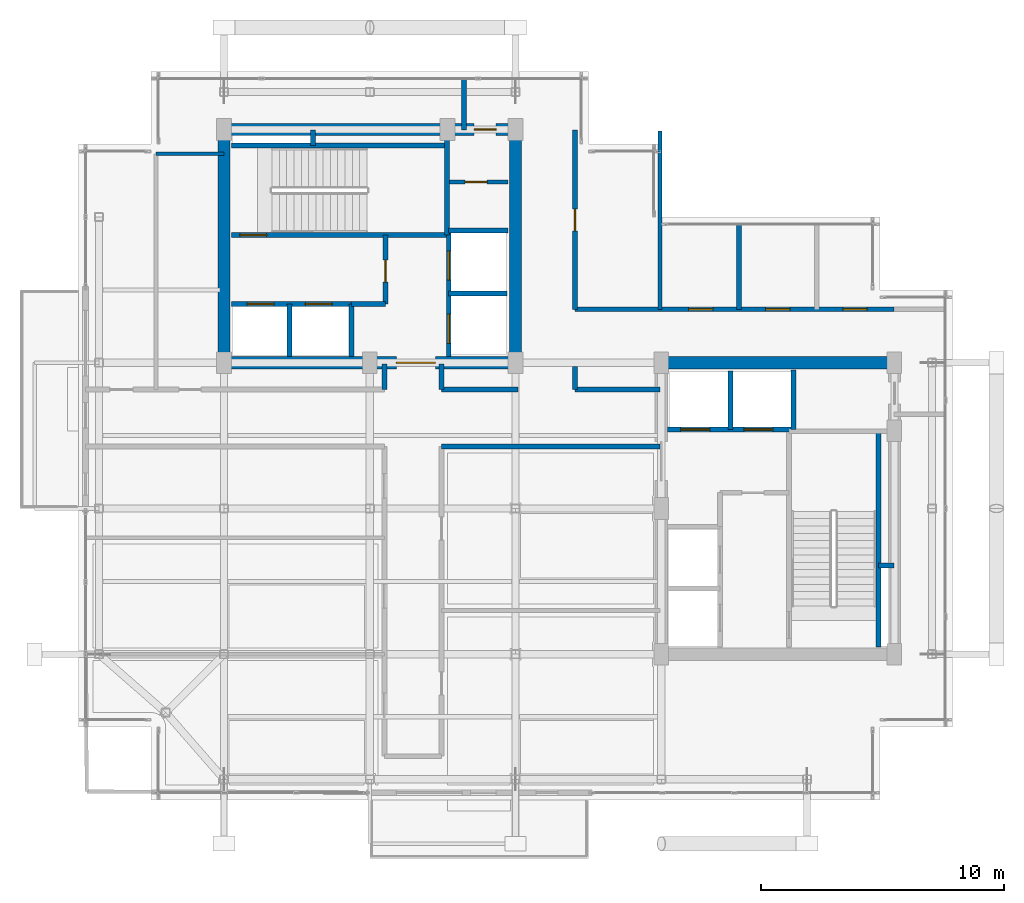
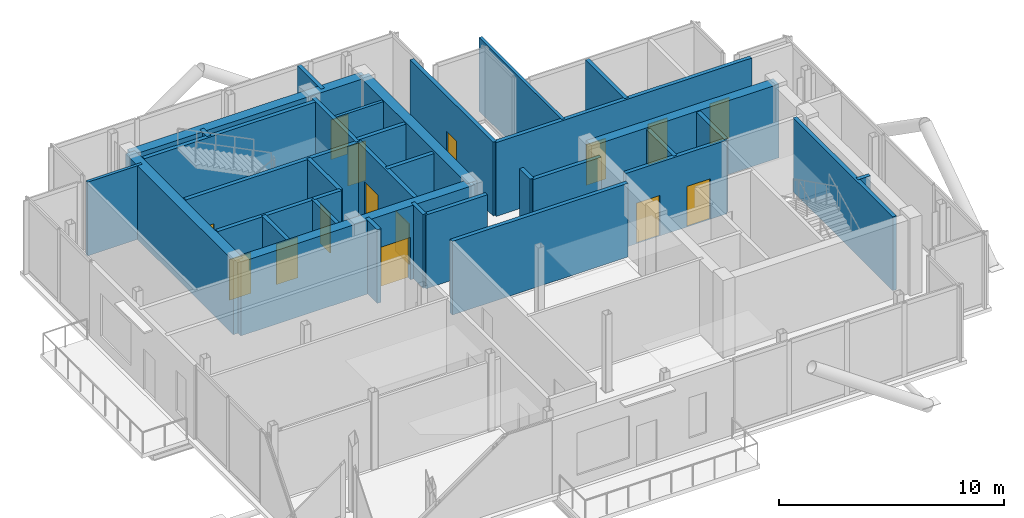
# One storey, part 13 of 16: 35 walls, 15 doors, 15 openings.
"""IFC4 building model written with IfcOpenShell, lengths in metres."""

from ifc_helpers import new_model, si_unit, direction, frame, frame_2d, origin, place, context, subcontext, project, spatial, rectangle, extrude, material, layer, layer_set, type_object, element, fill, save


model = new_model("IFC4")

# Units and contexts
model_context = context("Model", 3, precision=1e-05, world=origin(), true_north=direction((0.0, 1.0)))
body_context = subcontext(model_context, "Body", "Model", "MODEL_VIEW")
ifc_project = project(units=[si_unit("LENGTHUNIT", "METRE"), si_unit("AREAUNIT", "SQUARE_METRE"), si_unit("VOLUMEUNIT", "CUBIC_METRE"), si_unit("PLANEANGLEUNIT", "RADIAN"), si_unit("MASSUNIT", "GRAM", prefix="KILO"), si_unit("THERMODYNAMICTEMPERATUREUNIT", "KELVIN"), si_unit("POWERUNIT", "WATT")], contexts=[model_context])

# Site, building, storey
site_placement = place(None, origin())
site = spatial("IfcSite", under=ifc_project, at=site_placement, CompositionType="ELEMENT")
building_placement = place(site_placement, origin())
building = spatial("IfcBuilding", under=site, at=building_placement, Name="Svarakhadi Broadcast Tower", CompositionType="ELEMENT")
storey_placement = place(building_placement, frame((0.0, 0.0, 292.199951171875)))
storey = spatial("IfcBuildingStorey", under=building, at=storey_placement, Name="L74", CompositionType="ELEMENT", Elevation=292.199951171875)

# Walls
ifc_material_1 = material(Name="Double-Stud Acoustic Studio Partition STC-62", Category="gypsum")
ifc_layer_1 = layer(ifc_material_1, 0.199951171875)
ifc_layer_set_1 = layer_set([ifc_layer_1], Name="Double-Stud Acoustic Studio Partition STC-62")
wall_type_1 = type_object("IfcWallType", Name="Wall_Acoust_200", PredefinedType="PARTITIONING", material=ifc_layer_set_1)
for number, where, z_axis, x_axis, name in (
    (1, (12.60009765625, 16.89990234375, 0.0), (0.0, 0.0, 1.0), (0.0, 1.0, 0.0), "L74 Upper Tower Concourse Wall"),
    (2, (14.949951171875, 17.949951171875, 0.0), (0.0, 0.0, 1.0), (0.0, -1.0, 0.0), "L74 Upper Tower Concourse Wall"),
):
    element("IfcWall", number, at=place(storey_placement, frame(where, z_axis=z_axis, x_axis=x_axis)), inside=storey, type_object=wall_type_1, Name=name, PredefinedType="PARTITIONING", context=body_context, shape_type="SweptSolid", body=[
        extrude(rectangle(XDim=1.050048828125, YDim=0.199951171875, at=frame_2d((0.52490234375, 0.0))), origin(), (0.0, 0.0, 1.0), 4.0),
    ])
wall_1_placement = place(storey_placement, frame((14.949951171875, 16.89990234375, 0.0), z_axis=(0.0, 0.0, 1.0), x_axis=(1.0, 0.0, 0.0)))
element("IfcWall", 3, at=wall_1_placement, inside=storey, type_object=wall_type_1, Name="L74 Upper Tower Concourse Wall", PredefinedType="PARTITIONING", context=body_context, shape_type="SweptSolid", body=[
    extrude(rectangle(XDim=3.150146484375, YDim=0.199951171875, at=frame_2d((1.5751953125, 0.0))), origin(), (0.0, 0.0, 1.0), 4.0),
])
wall_2_placement = place(storey_placement, frame((15.8798828125, 27.580078125, 0.0), z_axis=(0.0, 0.0, 1.0), x_axis=(0.0, 1.0, 0.0)))
element("IfcWall", 4, at=wall_2_placement, inside=storey, type_object=wall_type_1, Name="L74 Upper Tower Concourse Wall", PredefinedType="PARTITIONING", context=body_context, shape_type="SweptSolid", body=[
    extrude(rectangle(XDim=2.119873046875, YDim=0.199951171875, at=frame_2d((1.06005859375, 0.0))), origin(), (0.0, 0.0, 1.0), 4.0),
])

# Wall, opening, door
wall_3_placement = place(storey_placement, frame((20.449951171875, 27.580078125, 0.0), z_axis=(0.0, 0.0, 1.0), x_axis=(0.0, -1.0, 0.0)))
wall_3 = element("IfcWall", 5, at=wall_3_placement, inside=storey, type_object=wall_type_1, Name="L74 Upper Tower Concourse Wall", PredefinedType="PARTITIONING", context=body_context, shape_type="SweptSolid", body=[
    extrude(rectangle(XDim=7.380126953125, YDim=0.199951171875, at=frame_2d((3.68994140625, 0.0))), origin(), (0.0, 0.0, 1.0), 4.0),
])
opening_1_placement = place(wall_3_placement, frame((3.2548828125, 0.0, 0.0)))
opening_1 = element("IfcOpeningElement", 6, at=opening_1_placement, cuts=wall_3, Name="Opening D-12", PredefinedType="OPENING", context=body_context, shape_type="SweptSolid", body=[
    extrude(rectangle(XDim=0.89990234375, YDim=2.10009765625, at=frame_2d((0.449951171875, 1.050048828125))), frame((0.0, 0.10986328125, 0.0), z_axis=(0.0, -1.0, 0.0), x_axis=(1.0, 0.0, 0.0)), (0.0, 0.0, 1.0), 0.219970703125),
])
ifc_material_2 = material(Name="Solid-Core Teak Veneer Acoustic Timber Leaf", Category="wood")
door_type_1 = type_object("IfcDoorType", Name="Door_WC_D01", OperationType="SINGLE_SWING_LEFT", PredefinedType="DOOR", material=ifc_material_2)
door_1_placement = place(opening_1_placement, origin())
door_1 = element("IfcDoor", 7, at=door_1_placement, inside=storey, type_object=door_type_1, Name="L74 Accessible Visitor Washroom WC Door", OperationType="SINGLE_SWING_LEFT", OverallHeight=2.10009765625, OverallWidth=0.89990234375, PredefinedType="DOOR", context=body_context, shape_type="SweptSolid", body=[
    extrude(rectangle(XDim=0.89990234375, YDim=2.10009765625, at=frame_2d((0.449951171875, 1.050048828125))), frame((0.0, 0.02490234375, 0.0), z_axis=(0.0, -1.0, 0.0), x_axis=(1.0, 0.0, 0.0)), (0.0, 0.0, 1.0), 0.050048828125),
])
fill(opening_1, door_1)

# Wall, openings, doors
wall_4_placement = place(storey_placement, frame((20.449951171875, 20.199951171875, 0.0), z_axis=(0.0, 0.0, 1.0), x_axis=(1.0, 0.0, 0.0)))
wall_4 = element("IfcWall", 8, at=wall_4_placement, inside=storey, type_object=wall_type_1, Name="L74 Upper Tower Concourse Wall", PredefinedType="PARTITIONING", context=body_context, shape_type="SweptSolid", body=[
    extrude(rectangle(XDim=13.130126953125, YDim=0.199951171875, at=frame_2d((6.56494140625, 0.0))), origin(), (0.0, 0.0, 1.0), 4.0),
])
opening_2_placement = place(wall_4_placement, frame((4.675048828125, 0.0, 0.0)))
opening_2 = element("IfcOpeningElement", 9, at=opening_2_placement, cuts=wall_4, Name="Opening D-09", PredefinedType="OPENING", context=body_context, shape_type="SweptSolid", body=[
    extrude(rectangle(XDim=1.0, YDim=2.199951171875, at=frame_2d((0.5, 1.10009765625))), frame((0.0, 0.10986328125, 0.0), z_axis=(0.0, -1.0, 0.0), x_axis=(1.0, 0.0, 0.0)), (0.0, 0.0, 1.0), 0.219970703125),
])
opening_3_placement = place(wall_4_placement, frame((7.85009765625, 0.0, 0.0)))
opening_3 = element("IfcOpeningElement", 10, at=opening_3_placement, cuts=wall_4, Name="Opening D-08", PredefinedType="OPENING", context=body_context, shape_type="SweptSolid", body=[
    extrude(rectangle(XDim=1.0, YDim=2.199951171875, at=frame_2d((0.5, 1.10009765625))), frame((0.0, 0.10986328125, 0.0), z_axis=(0.0, -1.0, 0.0), x_axis=(1.0, 0.0, 0.0)), (0.0, 0.0, 1.0), 0.219970703125),
])
opening_4_placement = place(wall_4_placement, frame((11.02490234375, 0.0, 0.0)))
opening_4 = element("IfcOpeningElement", 11, at=opening_4_placement, cuts=wall_4, Name="Opening D-09", PredefinedType="OPENING", context=body_context, shape_type="SweptSolid", body=[
    extrude(rectangle(XDim=1.0, YDim=2.199951171875, at=frame_2d((0.5, 1.10009765625))), frame((0.0, 0.10986328125, 0.0), z_axis=(0.0, -1.0, 0.0), x_axis=(1.0, 0.0, 0.0)), (0.0, 0.0, 1.0), 0.219970703125),
])
door_type_2 = type_object("IfcDoorType", Name="Door_Suite_D08", OperationType="SINGLE_SWING_LEFT", PredefinedType="DOOR", material=ifc_material_2)
door_2_placement = place(opening_3_placement, origin())
door_2 = element("IfcDoor", 12, at=door_2_placement, inside=storey, type_object=door_type_2, Name="L74 Private Sommelier Tasting Pantry Door", OperationType="SINGLE_SWING_LEFT", OverallHeight=2.199951171875, OverallWidth=1.0, PredefinedType="DOOR", context=body_context, shape_type="SweptSolid", body=[
    extrude(rectangle(XDim=1.0, YDim=2.199951171875, at=frame_2d((0.5, 1.10009765625))), frame((0.0, 0.02490234375, 0.0), z_axis=(0.0, -1.0, 0.0), x_axis=(1.0, 0.0, 0.0)), (0.0, 0.0, 1.0), 0.050048828125),
])
fill(opening_3, door_2)
door_type_3 = type_object("IfcDoorType", Name="Door_Suite_D09", OperationType="SINGLE_SWING_RIGHT", PredefinedType="DOOR", material=ifc_material_2)
door_3_placement = place(opening_2_placement, origin())
door_3 = element("IfcDoor", 13, at=door_3_placement, inside=storey, type_object=door_type_3, Name="L74 Harbour Sky Club Reading Room Door", OperationType="SINGLE_SWING_RIGHT", OverallHeight=2.199951171875, OverallWidth=1.0, PredefinedType="DOOR", context=body_context, shape_type="SweptSolid", body=[
    extrude(rectangle(XDim=1.0, YDim=2.199951171875, at=frame_2d((0.5, 1.10009765625))), frame((0.0, 0.02490234375, 0.0), z_axis=(0.0, -1.0, 0.0), x_axis=(1.0, 0.0, 0.0)), (0.0, 0.0, 1.0), 0.050048828125),
])
fill(opening_2, door_3)
door_4_placement = place(opening_4_placement, origin())
door_4 = element("IfcDoor", 14, at=door_4_placement, inside=storey, type_object=door_type_3, Name="L74 VIP Guest Concierge Office Door", OperationType="SINGLE_SWING_RIGHT", OverallHeight=2.199951171875, OverallWidth=1.0, PredefinedType="DOOR", context=body_context, shape_type="SweptSolid", body=[
    extrude(rectangle(XDim=1.0, YDim=2.199951171875, at=frame_2d((0.5, 1.10009765625))), frame((0.0, 0.02490234375, 0.0), z_axis=(0.0, -1.0, 0.0), x_axis=(1.0, 0.0, 0.0)), (0.0, 0.0, 1.0), 0.050048828125),
])
fill(opening_4, door_4)

# Walls
wall_5_placement = place(storey_placement, frame((20.449951171875, 17.85009765625, 0.0), z_axis=(0.0, 0.0, 1.0), x_axis=(0.0, -1.0, 0.0)))
element("IfcWall", 15, at=wall_5_placement, inside=storey, type_object=wall_type_1, Name="L74 Upper Tower Concourse Wall", PredefinedType="PARTITIONING", context=body_context, shape_type="SweptSolid", body=[
    extrude(rectangle(XDim=0.9501953125, YDim=0.199951171875, at=frame_2d((0.47509765625, 0.0))), origin(), (0.0, 0.0, 1.0), 4.0),
])
wall_6_placement = place(storey_placement, frame((20.449951171875, 16.89990234375, 0.0), z_axis=(0.0, 0.0, 1.0), x_axis=(1.0, 0.0, 0.0)))
element("IfcWall", 16, at=wall_6_placement, inside=storey, type_object=wall_type_1, Name="L74 Upper Tower Concourse Wall", PredefinedType="PARTITIONING", context=body_context, shape_type="SweptSolid", body=[
    extrude(rectangle(XDim=3.5, YDim=0.199951171875, at=frame_2d((1.75, 0.0))), origin(), (0.0, 0.0, 1.0), 4.0),
])
wall_7_placement = place(storey_placement, frame((23.949951171875, 14.550048828125, 0.0), z_axis=(0.0, 0.0, 1.0), x_axis=(-1.0, 0.0, 0.0)))
element("IfcWall", 17, at=wall_7_placement, inside=storey, type_object=wall_type_1, Name="L74 Upper Tower Concourse Wall", PredefinedType="PARTITIONING", context=body_context, shape_type="SweptSolid", body=[
    extrude(rectangle(XDim=9.0, YDim=0.199951171875, at=frame_2d((4.5, 0.0))), origin(), (0.0, 0.0, 1.0), 4.0),
])
wall_8_placement = place(storey_placement, frame((27.199951171875, 20.199951171875, 0.0), z_axis=(0.0, 0.0, 1.0), x_axis=(0.0, 1.0, 0.0)))
element("IfcWall", 18, at=wall_8_placement, inside=storey, type_object=wall_type_1, Name="L74 Harbour Sky Club Reading Room Wall", PredefinedType="PARTITIONING", context=body_context, shape_type="SweptSolid", body=[
    extrude(rectangle(XDim=3.5, YDim=0.199951171875, at=frame_2d((1.75, 0.0))), origin(), (0.0, 0.0, 1.0), 4.0),
])
ifc_material_3 = material(Name="Concrete C40/50 (IS 456 M50)", Category="concrete")
ifc_layer_2 = layer(ifc_material_3, 0.199951171875)
ifc_layer_set_2 = layer_set([ifc_layer_2], Name="Concrete C40/50 (IS 456 M50)")
wall_type_2 = type_object("IfcWallType", Name="Wall_Fire_200", PredefinedType="SOLIDWALL", material=ifc_layer_set_2)
for number, where, z_axis, x_axis, name in (
    (19, (9.659912109375, 26.93994140625, 0.0), (0.0, 0.0, 1.0), (0.0, 1.0, 0.0), "L74 Wet Riser Shaft East Wall"),
    (20, (32.93994140625, 9.659912109375, 0.0), (0.0, 0.0, 1.0), (1.0, 0.0, 0.0), "L74 HV Busduct Riser Shaft North Wall"),
):
    element("IfcWall", number, at=place(storey_placement, frame(where, z_axis=z_axis, x_axis=x_axis)), inside=storey, type_object=wall_type_2, Name=name, PredefinedType="SOLIDWALL", context=body_context, shape_type="SweptSolid", body=[
        extrude(rectangle(XDim=0.64013671875, YDim=0.199951171875, at=frame_2d((0.320068359375, 0.0))), origin(), (0.0, 0.0, 1.0), 4.0),
    ])

# Wall, opening, door
ifc_material_4 = material(Name="Autoclaved Aerated Concrete Blockwork 150 mm", Category="masonry")
ifc_layer_3 = layer(ifc_material_4, 0.14990234375)
ifc_layer_set_3 = layer_set([ifc_layer_3], Name="Autoclaved Aerated Concrete Blockwork 150 mm")
wall_type_3 = type_object("IfcWallType", Name="Wall_Part_150", PredefinedType="PARTITIONING", material=ifc_layer_set_3)
wall_9_placement = place(storey_placement, frame((15.280029296875, 25.43994140625, 0.0), z_axis=(0.0, 0.0, 1.0), x_axis=(1.0, 0.0, 0.0)))
wall_9 = element("IfcWall", 21, at=wall_9_placement, inside=storey, type_object=wall_type_3, Name="L74 West Core Service Split Wall", PredefinedType="PARTITIONING", context=body_context, shape_type="SweptSolid", body=[
    extrude(rectangle(XDim=2.419921875, YDim=0.14990234375, at=frame_2d((1.2099609375, 0.0))), origin(), (0.0, 0.0, 1.0), 4.0),
])
opening_5_placement = place(wall_9_placement, frame((0.64990234375, 0.0, 0.0)))
opening_5 = element("IfcOpeningElement", 22, at=opening_5_placement, cuts=wall_9, Name="Opening D-03", PredefinedType="OPENING", context=body_context, shape_type="SweptSolid", body=[
    extrude(rectangle(XDim=0.89990234375, YDim=2.14990234375, at=frame_2d((0.449951171875, 1.074951171875))), frame((0.0, 0.0849609375, 0.0), z_axis=(0.0, -1.0, 0.0), x_axis=(1.0, 0.0, 0.0)), (0.0, 0.0, 1.0), 0.169921875),
])
ifc_material_5 = material(Name="Galvanised Powder-Coated Fire-Rated Steel Leaf", Category="steel")
door_type_4 = type_object("IfcDoorType", Name="Door_Fire_D03", OperationType="SINGLE_SWING_LEFT", PredefinedType="DOOR", material=ifc_material_5)
door_5_placement = place(opening_5_placement, origin())
door_5 = element("IfcDoor", 23, at=door_5_placement, inside=storey, type_object=door_type_4, Name="L74 West Core Inner Store Door", OperationType="SINGLE_SWING_LEFT", OverallHeight=2.14990234375, OverallWidth=0.89990234375, PredefinedType="DOOR", context=body_context, shape_type="SweptSolid", body=[
    extrude(rectangle(XDim=0.89990234375, YDim=2.14990234375, at=frame_2d((0.449951171875, 1.074951171875))), frame((0.0, 0.02490234375, 0.0), z_axis=(0.0, -1.0, 0.0), x_axis=(1.0, 0.0, 0.0)), (0.0, 0.0, 1.0), 0.050048828125),
])
fill(opening_5, door_5)

# Walls
wall_10_placement = place(storey_placement, frame((23.949951171875, 20.199951171875, 0.0), z_axis=(0.0, 0.0, 1.0), x_axis=(0.0, 1.0, 0.0)))
element("IfcWall", 24, at=wall_10_placement, inside=storey, type_object=wall_type_3, Name="L74 Accessible Visitor Washroom WC Wall", PredefinedType="PARTITIONING", context=body_context, shape_type="SweptSolid", body=[
    extrude(rectangle(XDim=7.35009765625, YDim=0.14990234375, at=frame_2d((3.675048828125, 0.0))), origin(), (0.0, 0.0, 1.0), 4.0),
])
wall_11_placement = place(storey_placement, frame((3.199951171875, 26.60009765625, 0.0), z_axis=(0.0, 0.0, 1.0), x_axis=(1.0, 0.0, 0.0)))
element("IfcWall", 25, at=wall_11_placement, inside=storey, type_object=wall_type_3, Name="L74 Accessible Crown Washroom WC Wall", PredefinedType="PARTITIONING", context=body_context, shape_type="SweptSolid", body=[
    extrude(rectangle(XDim=2.800048828125, YDim=0.14990234375, at=frame_2d((1.39990234375, 0.0))), origin(), (0.0, 0.0, 1.0), 4.0),
])

# Wall, opening, door
ifc_material_6 = material(Name="Concrete C50/60 (IS 456 M60)", Category="concrete")
ifc_layer_4 = layer(ifc_material_6, 0.199951171875)
ifc_layer_set_4 = layer_set([ifc_layer_4], Name="Concrete C50/60 (IS 456 M60)")
wall_type_4 = type_object("IfcWallType", Name="Wall_Shear_200", PredefinedType="SHEAR", material=ifc_layer_set_4)
wall_12_placement = place(storey_placement, frame((6.300048828125, 23.260009765625, 0.0), z_axis=(0.0, 0.0, 1.0), x_axis=(1.0, 0.0, 0.0)))
wall_12 = element("IfcWall", 26, at=wall_12_placement, inside=storey, type_object=wall_type_4, Name="L74 Stair ST-01 South RC Shaft Wall", PredefinedType="SHEAR", context=body_context, shape_type="SweptSolid", body=[
    extrude(rectangle(XDim=8.8798828125, YDim=0.199951171875, at=frame_2d((4.43994140625, 0.0))), origin(), (0.0, 0.0, 1.0), 4.0),
])
opening_6_placement = place(wall_12_placement, frame((0.35009765625, 0.0, 0.0)))
opening_6 = element("IfcOpeningElement", 27, at=opening_6_placement, cuts=wall_12, Name="Opening D-01", PredefinedType="OPENING", context=body_context, shape_type="SweptSolid", body=[
    extrude(rectangle(XDim=1.10009765625, YDim=2.199951171875, at=frame_2d((0.550048828125, 1.10009765625))), frame((0.0, 0.10986328125, 0.0), z_axis=(0.0, -1.0, 0.0), x_axis=(1.0, 0.0, 0.0)), (0.0, 0.0, 1.0), 0.219970703125),
])
door_type_5 = type_object("IfcDoorType", Name="Door_Stair_D01", OperationType="SINGLE_SWING_LEFT", PredefinedType="DOOR", material=ifc_material_5)
door_6_placement = place(opening_6_placement, origin())
door_6 = element("IfcDoor", 28, at=door_6_placement, inside=storey, type_object=door_type_5, Name="L74 Protected Exit Stair ST-01 Fire Door", OperationType="SINGLE_SWING_LEFT", OverallHeight=2.199951171875, OverallWidth=1.10009765625, PredefinedType="DOOR", context=body_context, shape_type="SweptSolid", body=[
    extrude(rectangle(XDim=1.10009765625, YDim=2.199951171875, at=frame_2d((0.550048828125, 1.10009765625))), frame((0.0, 0.02490234375, 0.0), z_axis=(0.0, -1.0, 0.0), x_axis=(1.0, 0.0, 0.0)), (0.0, 0.0, 1.0), 0.050048828125),
])
fill(opening_6, door_6)

# Walls
wall_13_placement = place(storey_placement, frame((6.300048828125, 26.93994140625, 0.0), z_axis=(0.0, 0.0, 1.0), x_axis=(1.0, 0.0, 0.0)))
element("IfcWall", 29, at=wall_13_placement, inside=storey, type_object=wall_type_4, Name="L74 Stair ST-01 North RC Shaft Wall", PredefinedType="SHEAR", context=body_context, shape_type="SweptSolid", body=[
    extrude(rectangle(XDim=8.8798828125, YDim=0.199951171875, at=frame_2d((4.43994140625, 0.0))), origin(), (0.0, 0.0, 1.0), 4.0),
])
wall_14_placement = place(storey_placement, frame((15.179931640625, 23.260009765625, 0.0), z_axis=(0.0, 0.0, 1.0), x_axis=(0.0, 1.0, 0.0)))
element("IfcWall", 30, at=wall_14_placement, inside=storey, type_object=wall_type_4, Name="L74 Stair ST-01 East RC Shaft Wall", PredefinedType="SHEAR", context=body_context, shape_type="SweptSolid", body=[
    extrude(rectangle(XDim=4.0400390625, YDim=0.199951171875, at=frame_2d((2.02001953125, 0.0))), origin(), (0.0, 0.0, 1.0), 4.0),
])
wall_15_placement = place(storey_placement, frame((32.93994140625, 6.300048828125, 0.0), z_axis=(0.0, 0.0, 1.0), x_axis=(0.0, 1.0, 0.0)))
element("IfcWall", 31, at=wall_15_placement, inside=storey, type_object=wall_type_4, Name="L74 Stair ST-02 East RC Shaft Wall", PredefinedType="SHEAR", context=body_context, shape_type="SweptSolid", body=[
    extrude(rectangle(XDim=8.8798828125, YDim=0.199951171875, at=frame_2d((4.43994140625, 0.0))), origin(), (0.0, 0.0, 1.0), 4.0),
])

# Wall, openings, doors
wall_16_placement = place(storey_placement, frame((6.300048828125, 20.419921875, 0.0), z_axis=(0.0, 0.0, 1.0), x_axis=(1.0, 0.0, 0.0)))
wall_16 = element("IfcWall", 32, at=wall_16_placement, inside=storey, type_object=wall_type_4, Name="L74 Firefighting Lift LF-01/02 Shaft Wall", PredefinedType="SHEAR", context=body_context, shape_type="SweptSolid", body=[
    extrude(rectangle(XDim=4.949951171875, YDim=0.199951171875, at=frame_2d((2.47509765625, 0.0))), origin(), (0.0, 0.0, 1.0), 4.0),
])
opening_7_placement = place(wall_16_placement, frame((0.64990234375, 0.0, 0.0)))
opening_7 = element("IfcOpeningElement", 33, at=opening_7_placement, cuts=wall_16, Name="Opening LD-01", PredefinedType="OPENING", context=body_context, shape_type="SweptSolid", body=[
    extrude(rectangle(XDim=1.10009765625, YDim=2.199951171875, at=frame_2d((0.550048828125, 1.10009765625))), frame((0.0, 0.10986328125, 0.0), z_axis=(0.0, -1.0, 0.0), x_axis=(1.0, 0.0, 0.0)), (0.0, 0.0, 1.0), 0.219970703125),
])
opening_8_placement = place(wall_16_placement, frame((3.050048828125, 0.0, 0.0)))
opening_8 = element("IfcOpeningElement", 34, at=opening_8_placement, cuts=wall_16, Name="Opening LD-01", PredefinedType="OPENING", context=body_context, shape_type="SweptSolid", body=[
    extrude(rectangle(XDim=1.10009765625, YDim=2.199951171875, at=frame_2d((0.550048828125, 1.10009765625))), frame((0.0, 0.10986328125, 0.0), z_axis=(0.0, -1.0, 0.0), x_axis=(1.0, 0.0, 0.0)), (0.0, 0.0, 1.0), 0.219970703125),
])
door_type_6 = type_object("IfcDoorType", Name="Door_Lift_LD01", OperationType="SLIDING_TO_LEFT", PredefinedType="DOOR", material=ifc_material_5)
door_7_placement = place(opening_7_placement, origin())
door_7 = element("IfcDoor", 35, at=door_7_placement, inside=storey, type_object=door_type_6, Name="L74 Firefighting Lift LF-01 Landing Door", OperationType="SLIDING_TO_LEFT", OverallHeight=2.199951171875, OverallWidth=1.10009765625, PredefinedType="DOOR", context=body_context, shape_type="SweptSolid", body=[
    extrude(rectangle(XDim=1.10009765625, YDim=2.199951171875, at=frame_2d((0.550048828125, 1.10009765625))), frame((0.0, 0.02490234375, 0.0), z_axis=(0.0, -1.0, 0.0), x_axis=(1.0, 0.0, 0.0)), (0.0, 0.0, 1.0), 0.050048828125),
])
fill(opening_7, door_7)
door_8_placement = place(opening_8_placement, origin())
door_8 = element("IfcDoor", 36, at=door_8_placement, inside=storey, type_object=door_type_6, Name="L74 Firefighting Lift LF-02 Landing Door", OperationType="SLIDING_TO_LEFT", OverallHeight=2.199951171875, OverallWidth=1.10009765625, PredefinedType="DOOR", context=body_context, shape_type="SweptSolid", body=[
    extrude(rectangle(XDim=1.10009765625, YDim=2.199951171875, at=frame_2d((0.550048828125, 1.10009765625))), frame((0.0, 0.02490234375, 0.0), z_axis=(0.0, -1.0, 0.0), x_axis=(1.0, 0.0, 0.0)), (0.0, 0.0, 1.0), 0.050048828125),
])
fill(opening_8, door_8)

# Walls
for number, where, z_axis, x_axis, name in (
    (37, (8.699951171875, 18.25, 0.0), (0.0, 0.0, 1.0), (0.0, 1.0, 0.0), "L74 Firefighting Lift LF-01/02 Divider Wall"),
    (38, (11.25, 18.25, 0.0), (0.0, 0.0, 1.0), (0.0, 1.0, 0.0), "L74 Firefighting Lift LF-02 East Wall"),
):
    element("IfcWall", number, at=place(storey_placement, frame(where, z_axis=z_axis, x_axis=x_axis)), inside=storey, type_object=wall_type_4, Name=name, PredefinedType="SHEAR", context=body_context, shape_type="SweptSolid", body=[
        extrude(rectangle(XDim=2.169921875, YDim=0.199951171875, at=frame_2d((1.0849609375, 0.0))), origin(), (0.0, 0.0, 1.0), 4.0),
    ])
wall_17_placement = place(storey_placement, frame((11.25, 20.419921875, 0.0), z_axis=(0.0, 0.0, 1.0), x_axis=(1.0, 0.0, 0.0)))
element("IfcWall", 39, at=wall_17_placement, inside=storey, type_object=wall_type_4, Name="L74 West Firefighting Lobby South Wall", PredefinedType="SHEAR", context=body_context, shape_type="SweptSolid", body=[
    extrude(rectangle(XDim=1.39990234375, YDim=0.199951171875, at=frame_2d((0.699951171875, 0.0))), origin(), (0.0, 0.0, 1.0), 4.0),
])

# Wall, opening, door
wall_18_placement = place(storey_placement, frame((12.64990234375, 20.419921875, 0.0), z_axis=(0.0, 0.0, 1.0), x_axis=(0.0, 1.0, 0.0)))
wall_18 = element("IfcWall", 40, at=wall_18_placement, inside=storey, type_object=wall_type_4, Name="L74 West Firefighting Lobby East Wall", PredefinedType="SHEAR", context=body_context, shape_type="SweptSolid", body=[
    extrude(rectangle(XDim=2.840087890625, YDim=0.199951171875, at=frame_2d((1.419921875, 0.0))), origin(), (0.0, 0.0, 1.0), 4.0),
])
opening_9_placement = place(wall_18_placement, frame((0.89990234375, 0.0, 0.0)))
opening_9 = element("IfcOpeningElement", 41, at=opening_9_placement, cuts=wall_18, Name="Opening D-03", PredefinedType="OPENING", context=body_context, shape_type="SweptSolid", body=[
    extrude(rectangle(XDim=0.89990234375, YDim=2.14990234375, at=frame_2d((0.449951171875, 1.074951171875))), frame((0.0, 0.10986328125, 0.0), z_axis=(0.0, -1.0, 0.0), x_axis=(1.0, 0.0, 0.0)), (0.0, 0.0, 1.0), 0.219970703125),
])
door_9_placement = place(opening_9_placement, origin())
door_9 = element("IfcDoor", 42, at=door_9_placement, inside=storey, type_object=door_type_4, Name="L74 West Firefighting Lobby Fire Door", OperationType="SINGLE_SWING_LEFT", OverallHeight=2.14990234375, OverallWidth=0.89990234375, PredefinedType="DOOR", context=body_context, shape_type="SweptSolid", body=[
    extrude(rectangle(XDim=0.89990234375, YDim=2.14990234375, at=frame_2d((0.449951171875, 1.074951171875))), frame((0.0, 0.02490234375, 0.0), z_axis=(0.0, -1.0, 0.0), x_axis=(1.0, 0.0, 0.0)), (0.0, 0.0, 1.0), 0.050048828125),
])
fill(opening_9, door_9)

# Wall, openings, doors
wall_19_placement = place(storey_placement, frame((15.25, 18.25, 0.0), z_axis=(0.0, 0.0, 1.0), x_axis=(0.0, 1.0, 0.0)))
wall_19 = element("IfcWall", 43, at=wall_19_placement, inside=storey, type_object=wall_type_4, Name="L74 High-Rise Lift LF-13/14 West Shaft Wall", PredefinedType="SHEAR", context=body_context, shape_type="SweptSolid", body=[
    extrude(rectangle(XDim=5.199951171875, YDim=0.199951171875, at=frame_2d((2.60009765625, 0.0))), origin(), (0.0, 0.0, 1.0), 4.0),
])
opening_10_placement = place(wall_19_placement, frame((0.550048828125, 0.0, 0.0)))
opening_10 = element("IfcOpeningElement", 44, at=opening_10_placement, cuts=wall_19, Name="Opening LD-02", PredefinedType="OPENING", context=body_context, shape_type="SweptSolid", body=[
    extrude(rectangle(XDim=1.199951171875, YDim=2.199951171875, at=frame_2d((0.60009765625, 1.10009765625))), frame((0.0, 0.10986328125, 0.0), z_axis=(0.0, -1.0, 0.0), x_axis=(1.0, 0.0, 0.0)), (0.0, 0.0, 1.0), 0.219970703125),
])
opening_11_placement = place(wall_19_placement, frame((3.14990234375, 0.0, 0.0)))
opening_11 = element("IfcOpeningElement", 45, at=opening_11_placement, cuts=wall_19, Name="Opening LD-02", PredefinedType="OPENING", context=body_context, shape_type="SweptSolid", body=[
    extrude(rectangle(XDim=1.199951171875, YDim=2.199951171875, at=frame_2d((0.60009765625, 1.10009765625))), frame((0.0, 0.10986328125, 0.0), z_axis=(0.0, -1.0, 0.0), x_axis=(1.0, 0.0, 0.0)), (0.0, 0.0, 1.0), 0.219970703125),
])
door_type_7 = type_object("IfcDoorType", Name="Door_Lift_LD02", OperationType="SLIDING_TO_RIGHT", PredefinedType="DOOR", material=ifc_material_5)
door_10_placement = place(opening_10_placement, origin())
door_10 = element("IfcDoor", 46, at=door_10_placement, inside=storey, type_object=door_type_7, Name="L74 High-Rise Lift LF-13 Landing Door", OperationType="SLIDING_TO_RIGHT", OverallHeight=2.199951171875, OverallWidth=1.199951171875, PredefinedType="DOOR", context=body_context, shape_type="SweptSolid", body=[
    extrude(rectangle(XDim=1.199951171875, YDim=2.199951171875, at=frame_2d((0.60009765625, 1.10009765625))), frame((0.0, 0.02490234375, 0.0), z_axis=(0.0, -1.0, 0.0), x_axis=(1.0, 0.0, 0.0)), (0.0, 0.0, 1.0), 0.050048828125),
])
fill(opening_10, door_10)
door_11_placement = place(opening_11_placement, origin())
door_11 = element("IfcDoor", 47, at=door_11_placement, inside=storey, type_object=door_type_7, Name="L74 High-Rise Lift LF-14 Landing Door", OperationType="SLIDING_TO_RIGHT", OverallHeight=2.199951171875, OverallWidth=1.199951171875, PredefinedType="DOOR", context=body_context, shape_type="SweptSolid", body=[
    extrude(rectangle(XDim=1.199951171875, YDim=2.199951171875, at=frame_2d((0.60009765625, 1.10009765625))), frame((0.0, 0.02490234375, 0.0), z_axis=(0.0, -1.0, 0.0), x_axis=(1.0, 0.0, 0.0)), (0.0, 0.0, 1.0), 0.050048828125),
])
fill(opening_11, door_11)

# Walls
wall_20_placement = place(storey_placement, frame((15.25, 20.85009765625, 0.0), z_axis=(0.0, 0.0, 1.0), x_axis=(1.0, 0.0, 0.0)))
element("IfcWall", 48, at=wall_20_placement, inside=storey, type_object=wall_type_4, Name="L74 High-Rise Lift LF-13/14 Divider", PredefinedType="SHEAR", context=body_context, shape_type="SweptSolid", body=[
    extrude(rectangle(XDim=2.39990234375, YDim=0.199951171875, at=frame_2d((1.199951171875, 0.0))), origin(), (0.0, 0.0, 1.0), 4.0),
])
wall_21_placement = place(storey_placement, frame((15.25, 23.449951171875, 0.0), z_axis=(0.0, 0.0, 1.0), x_axis=(1.0, 0.0, 0.0)))
element("IfcWall", 49, at=wall_21_placement, inside=storey, type_object=wall_type_4, Name="L74 High-Rise Lift LF-13/14 North Wall", PredefinedType="SHEAR", context=body_context, shape_type="SweptSolid", body=[
    extrude(rectangle(XDim=2.449951171875, YDim=0.199951171875, at=frame_2d((1.22509765625, 0.0))), origin(), (0.0, 0.0, 1.0), 4.0),
])

# Wall, openings, doors
wall_22_placement = place(storey_placement, frame((24.25, 15.25, 0.0), z_axis=(0.0, 0.0, 1.0), x_axis=(1.0, 0.0, 0.0)))
wall_22 = element("IfcWall", 50, at=wall_22_placement, inside=storey, type_object=wall_type_4, Name="L74 High-Rise Lift LF-15/16 South Shaft Wall", PredefinedType="SHEAR", context=body_context, shape_type="SweptSolid", body=[
    extrude(rectangle(XDim=5.199951171875, YDim=0.199951171875, at=frame_2d((2.60009765625, 0.0))), origin(), (0.0, 0.0, 1.0), 4.0),
])
opening_12_placement = place(wall_22_placement, frame((0.550048828125, 0.0, 0.0)))
opening_12 = element("IfcOpeningElement", 51, at=opening_12_placement, cuts=wall_22, Name="Opening LD-02", PredefinedType="OPENING", context=body_context, shape_type="SweptSolid", body=[
    extrude(rectangle(XDim=1.199951171875, YDim=2.199951171875, at=frame_2d((0.60009765625, 1.10009765625))), frame((0.0, 0.10986328125, 0.0), z_axis=(0.0, -1.0, 0.0), x_axis=(1.0, 0.0, 0.0)), (0.0, 0.0, 1.0), 0.219970703125),
])
opening_13_placement = place(wall_22_placement, frame((3.14990234375, 0.0, 0.0)))
opening_13 = element("IfcOpeningElement", 52, at=opening_13_placement, cuts=wall_22, Name="Opening LD-02", PredefinedType="OPENING", context=body_context, shape_type="SweptSolid", body=[
    extrude(rectangle(XDim=1.199951171875, YDim=2.199951171875, at=frame_2d((0.60009765625, 1.10009765625))), frame((0.0, 0.10986328125, 0.0), z_axis=(0.0, -1.0, 0.0), x_axis=(1.0, 0.0, 0.0)), (0.0, 0.0, 1.0), 0.219970703125),
])
door_12_placement = place(opening_12_placement, origin())
door_12 = element("IfcDoor", 53, at=door_12_placement, inside=storey, type_object=door_type_7, Name="L74 High-Rise Lift LF-15 Landing Door", OperationType="SLIDING_TO_RIGHT", OverallHeight=2.199951171875, OverallWidth=1.199951171875, PredefinedType="DOOR", context=body_context, shape_type="SweptSolid", body=[
    extrude(rectangle(XDim=1.199951171875, YDim=2.199951171875, at=frame_2d((0.60009765625, 1.10009765625))), frame((0.0, 0.02490234375, 0.0), z_axis=(0.0, -1.0, 0.0), x_axis=(1.0, 0.0, 0.0)), (0.0, 0.0, 1.0), 0.050048828125),
])
fill(opening_12, door_12)
door_13_placement = place(opening_13_placement, origin())
door_13 = element("IfcDoor", 54, at=door_13_placement, inside=storey, type_object=door_type_7, Name="L74 High-Rise Lift LF-16 Landing Door", OperationType="SLIDING_TO_RIGHT", OverallHeight=2.199951171875, OverallWidth=1.199951171875, PredefinedType="DOOR", context=body_context, shape_type="SweptSolid", body=[
    extrude(rectangle(XDim=1.199951171875, YDim=2.199951171875, at=frame_2d((0.60009765625, 1.10009765625))), frame((0.0, 0.02490234375, 0.0), z_axis=(0.0, -1.0, 0.0), x_axis=(1.0, 0.0, 0.0)), (0.0, 0.0, 1.0), 0.050048828125),
])
fill(opening_13, door_13)

# Walls
wall_23_placement = place(storey_placement, frame((26.85009765625, 15.25, 0.0), z_axis=(0.0, 0.0, 1.0), x_axis=(0.0, 1.0, 0.0)))
element("IfcWall", 55, at=wall_23_placement, inside=storey, type_object=wall_type_4, Name="L74 High-Rise Lift LF-15/16 Divider", PredefinedType="SHEAR", context=body_context, shape_type="SweptSolid", body=[
    extrude(rectangle(XDim=2.39990234375, YDim=0.199951171875, at=frame_2d((1.199951171875, 0.0))), origin(), (0.0, 0.0, 1.0), 4.0),
])
wall_24_placement = place(storey_placement, frame((29.449951171875, 15.25, 0.0), z_axis=(0.0, 0.0, 1.0), x_axis=(0.0, 1.0, 0.0)))
element("IfcWall", 56, at=wall_24_placement, inside=storey, type_object=wall_type_4, Name="L74 High-Rise Lift LF-15/16 East Wall", PredefinedType="SHEAR", context=body_context, shape_type="SweptSolid", body=[
    extrude(rectangle(XDim=2.449951171875, YDim=0.199951171875, at=frame_2d((1.22509765625, 0.0))), origin(), (0.0, 0.0, 1.0), 4.0),
])

# Wall, opening, door
ifc_layer_5 = layer(ifc_material_6, 0.5)
ifc_layer_set_5 = layer_set([ifc_layer_5], Name="Concrete C50/60 (IS 456 M60)")
wall_type_5 = type_object("IfcWallType", Name="Wall_Shear_500", PredefinedType="SHEAR", material=ifc_layer_set_5)
wall_25_placement = place(storey_placement, frame((6.0, 18.0, 0.0), z_axis=(0.0, 0.0, 1.0), x_axis=(1.0, 0.0, 0.0)))
wall_25 = element("IfcWall", 57, at=wall_25_placement, inside=storey, type_object=wall_type_5, Name="L74 West Core South Shear Wall", PredefinedType="SHEAR", context=body_context, shape_type="SweptSolid", body=[
    extrude(rectangle(XDim=12.0, YDim=0.5, at=frame_2d((6.0, 0.0))), origin(), (0.0, 0.0, 1.0), 4.0),
])
opening_14_placement = place(wall_25_placement, frame((7.10009765625, 0.0, 0.0)))
opening_14 = element("IfcOpeningElement", 58, at=opening_14_placement, cuts=wall_25, Name="Opening D-05", PredefinedType="OPENING", context=body_context, shape_type="SweptSolid", body=[
    extrude(rectangle(XDim=1.60009765625, YDim=2.300048828125, at=frame_2d((0.800048828125, 1.14990234375))), frame((0.0, 0.260009765625, 0.0), z_axis=(0.0, -1.0, 0.0), x_axis=(1.0, 0.0, 0.0)), (0.0, 0.0, 1.0), 0.52001953125),
])
ifc_material_7 = material(Name="Anodised Bronze Aluminium AA 6063-T6", Category="aluminium")
door_type_8 = type_object("IfcDoorType", Name="Door_Lobby_D05", OperationType="DOUBLE_DOOR_SLIDING", PredefinedType="DOOR", material=ifc_material_7)
door_14_placement = place(opening_14_placement, origin())
door_14 = element("IfcDoor", 59, at=door_14_placement, inside=storey, type_object=door_type_8, Name="L74 West Core Passenger Lift Lobby Entrance Door", OperationType="DOUBLE_DOOR_SLIDING", OverallHeight=2.300048828125, OverallWidth=1.60009765625, PredefinedType="DOOR", context=body_context, shape_type="SweptSolid", body=[
    extrude(rectangle(XDim=1.60009765625, YDim=2.300048828125, at=frame_2d((0.800048828125, 1.14990234375))), frame((0.0, 0.02490234375, 0.0), z_axis=(0.0, -1.0, 0.0), x_axis=(1.0, 0.0, 0.0)), (0.0, 0.0, 1.0), 0.050048828125),
])
fill(opening_14, door_14)

wall_26_placement = place(storey_placement, frame((6.0, 27.60009765625, 0.0), z_axis=(0.0, 0.0, 1.0), x_axis=(1.0, 0.0, 0.0)))
wall_26 = element("IfcWall", 60, at=wall_26_placement, inside=storey, type_object=wall_type_5, Name="L74 West Core North Shear Wall", PredefinedType="SHEAR", context=body_context, shape_type="SweptSolid", body=[
    extrude(rectangle(XDim=12.0, YDim=0.5, at=frame_2d((6.0, 0.0))), origin(), (0.0, 0.0, 1.0), 4.0),
])
opening_15_placement = place(wall_26_placement, frame((10.300048828125, 0.0, 0.0)))
opening_15 = element("IfcOpeningElement", 61, at=opening_15_placement, cuts=wall_26, Name="Opening D-03", PredefinedType="OPENING", context=body_context, shape_type="SweptSolid", body=[
    extrude(rectangle(XDim=0.89990234375, YDim=2.14990234375, at=frame_2d((0.449951171875, 1.074951171875))), frame((0.0, 0.260009765625, 0.0), z_axis=(0.0, -1.0, 0.0), x_axis=(1.0, 0.0, 0.0)), (0.0, 0.0, 1.0), 0.52001953125),
])
door_15_placement = place(opening_15_placement, origin())
door_15 = element("IfcDoor", 62, at=door_15_placement, inside=storey, type_object=door_type_4, Name="L74 West Core Outer Store Door", OperationType="SINGLE_SWING_LEFT", OverallHeight=2.14990234375, OverallWidth=0.89990234375, PredefinedType="DOOR", context=body_context, shape_type="SweptSolid", body=[
    extrude(rectangle(XDim=0.89990234375, YDim=2.14990234375, at=frame_2d((0.449951171875, 1.074951171875))), frame((0.0, 0.02490234375, 0.0), z_axis=(0.0, -1.0, 0.0), x_axis=(1.0, 0.0, 0.0)), (0.0, 0.0, 1.0), 0.050048828125),
])
fill(opening_15, door_15)

# Walls
for number, where, z_axis, x_axis, name in (
    (63, (6.0, 18.0, 0.0), (0.0, 0.0, 1.0), (0.0, 1.0, 0.0), "L74 West Core West Shear Wall"),
    (64, (18.0, 18.0, 0.0), (0.0, 0.0, 1.0), (0.0, 1.0, 0.0), "L74 West Core East Shear Wall"),
    (65, (24.0, 18.0, 0.0), (0.0, 0.0, 1.0), (1.0, 0.0, 0.0), "L74 East Core North Shear Wall"),
):
    element("IfcWall", number, at=place(storey_placement, frame(where, z_axis=z_axis, x_axis=x_axis)), inside=storey, type_object=wall_type_5, Name=name, PredefinedType="SHEAR", context=body_context, shape_type="SweptSolid", body=[
        extrude(rectangle(XDim=9.60009765625, YDim=0.5, at=frame_2d((4.800048828125, 0.0))), origin(), (0.0, 0.0, 1.0), 4.0),
    ])

save(model, "model.ifc")
